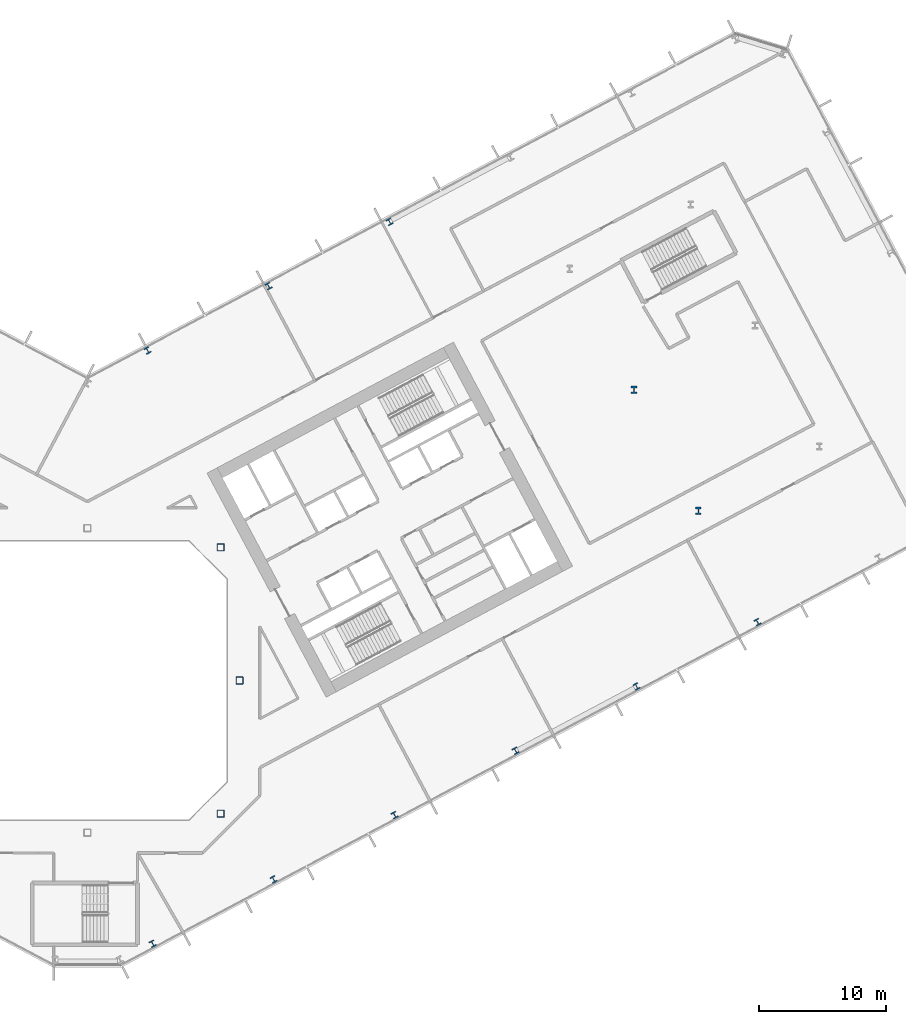
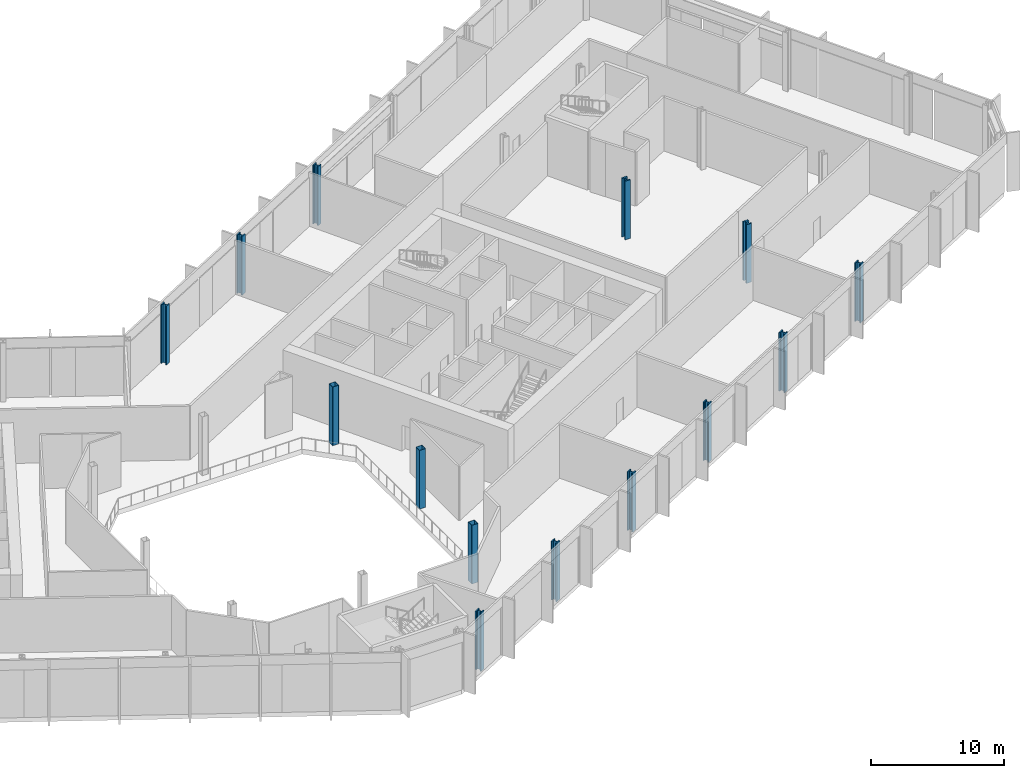
# One storey, part 3 of 30: 14 columns.
"""IFC4 building model written with IfcOpenShell, lengths in metres."""

from ifc_helpers import new_model, si_unit, direction, frame, origin, origin_2d, place, context, subcontext, project, spatial, hollow_rectangle, i_section, extrude, material, material_profile, profile_set, type_object, element, save


model = new_model("IFC4")

# Units and contexts
model_context = context("Model", 3, precision=1e-05, world=origin(), true_north=direction((0.0, 1.0)))
body_context = subcontext(model_context, "Body", "Model", "MODEL_VIEW")
ifc_project = project(units=[si_unit("LENGTHUNIT", "METRE"), si_unit("AREAUNIT", "SQUARE_METRE"), si_unit("VOLUMEUNIT", "CUBIC_METRE"), si_unit("PLANEANGLEUNIT", "RADIAN"), si_unit("MASSUNIT", "GRAM", prefix="KILO")], contexts=[model_context])

# Site, building, storey
site_placement = place(None, origin())
site = spatial("IfcSite", under=ifc_project, at=site_placement, CompositionType="ELEMENT")
building_placement = place(site_placement, origin())
building = spatial("IfcBuilding", under=site, at=building_placement, Name="Cormorant Relay Tower", CompositionType="ELEMENT")
storey_placement = place(building_placement, frame((0.0, 0.0, 55.39990234375)))
storey = spatial("IfcBuildingStorey", under=building, at=storey_placement, Name="L10", CompositionType="ELEMENT", Elevation=55.39990234375)

# Columns
ifc_material_1 = material(Name="Steel ASTM A1085 Grade A (Fy 345 MPa)", Category="steel")
ifc_material_profile_1 = material_profile(ifc_material_1, hollow_rectangle(XDim=0.558837890625, YDim=0.558837890625, WallThickness=0.023681640625, InnerFilletRadius=0.01171875, OuterFilletRadius=0.035400390625, at=origin_2d()), Name="HSS559x559x24")
ifc_profile_set_1 = profile_set([ifc_material_profile_1], Name="Steel ASTM A1085 Grade A (Fy 345 MPa)")
column_type_1 = type_object("IfcColumnType", Name="Column HSS559x559x24", PredefinedType="COLUMN", material=ifc_profile_set_1)
for number, where, z_axis, x_axis, name in (
    (1, (10.5, -10.5, 0.0), (0.0, 0.0, 1.0), (1.0, 0.0, 0.0), "Column L10-010"),
    (2, (12.0, 0.0, 0.0), (0.0, 0.0, 1.0), (1.0, 0.0, 0.0), "Column L10-016"),
    (3, (10.5, 10.5, 0.0), (0.0, 0.0, 1.0), (1.0, 0.0, 0.0), "Column L10-023"),
):
    element("IfcColumn", number, at=place(storey_placement, frame(where, z_axis=z_axis, x_axis=x_axis)), inside=storey, type_object=column_type_1, Name=name, PredefinedType="COLUMN", context=body_context, shape_type="SweptSolid", body=[
        extrude(hollow_rectangle(XDim=0.558837890625, YDim=0.558837890625, WallThickness=0.023681640625, InnerFilletRadius=0.01171875, OuterFilletRadius=0.035400390625, at=origin_2d()), origin(), (0.0, 0.0, 1.0), 5.400146484375),
    ])
ifc_material_2 = material(Name="Steel ASTM A992 (Fy 345 MPa)", Category="steel")
ifc_material_profile_2 = material_profile(ifc_material_2, i_section(OverallWidth=0.45458984375, OverallDepth=0.569091796875, WebThickness=0.077880859375, FlangeThickness=0.124755859375, FilletRadius=0.015380859375, at=origin_2d()), Name="W360x1086")
ifc_profile_set_2 = profile_set([ifc_material_profile_2], Name="Steel ASTM A992 (Fy 345 MPa)")
column_type_2 = type_object("IfcColumnType", Name="Column W360x1086", PredefinedType="COLUMN", material=ifc_profile_set_2)
for number, where, z_axis, x_axis, name in (
    (4, (48.157958984375, 13.3740234375, 0.0), (0.0, 0.0, 1.0), (1.0, 0.0, 0.0), "Column L10-025"),
    (5, (43.087890625, 22.909912109375, 0.0), (0.0, 0.0, 1.0), (1.0, 0.0, 0.0), "Column L10-031"),
):
    element("IfcColumn", number, at=place(storey_placement, frame(where, z_axis=z_axis, x_axis=x_axis)), inside=storey, type_object=column_type_2, Name=name, PredefinedType="COLUMN", context=body_context, shape_type="SweptSolid", body=[
        extrude(i_section(OverallWidth=0.45458984375, OverallDepth=0.569091796875, WebThickness=0.077880859375, FlangeThickness=0.124755859375, FilletRadius=0.015380859375, at=origin_2d()), origin(), (0.0, 0.0, 1.0), 5.400146484375),
    ])
ifc_material_3 = material(Name="Steel ASTM A992 (Fy 345 MPa)", Category="steel")
ifc_material_profile_3 = material_profile(ifc_material_3, i_section(OverallWidth=0.43701171875, OverallDepth=0.51318359375, WebThickness=0.060546875, FlangeThickness=0.096923828125, FilletRadius=0.015380859375, at=origin_2d()), Name="W360x818")
ifc_profile_set_3 = profile_set([ifc_material_profile_3], Name="Steel ASTM A992 (Fy 345 MPa)")
column_type_3 = type_object("IfcColumnType", Name="Column W360x818", PredefinedType="COLUMN", material=ifc_profile_set_3)
for number, where, z_axis, x_axis, name in (
    (6, (5.14599609375, -20.75390625, 0.0), (0.0, 0.0, 1.0), (0.882947592859, 0.469471562786, 0.0), "Column L10-003"),
    (7, (14.680908203125, -15.68310546875, 0.0), (0.0, 0.0, 1.0), (0.882947592859, 0.469471562786, 0.0), "Column L10-005"),
    (8, (24.217041015625, -10.613037109375, 0.0), (0.0, 0.0, 1.0), (0.882947592859, 0.469471562786, 0.0), "Column L10-008"),
    (9, (33.7529296875, -5.54296875, 0.0), (0.0, 0.0, 1.0), (0.882947592859, 0.469471562786, 0.0), "Column L10-012"),
    (10, (43.2890625, -0.471923828125, 0.0), (0.0, 0.0, 1.0), (0.882947592859, 0.469471562786, 0.0), "Column L10-014"),
    (11, (52.824951171875, 4.597900390625, 0.0), (0.0, 0.0, 1.0), (0.882947592859, 0.469471562786, 0.0), "Column L10-019"),
    (12, (4.743896484375, 26.011962890625, 0.0), (0.0, 0.0, 1.0), (-0.882947592859, -0.469471562786, 0.0), "Column L10-035"),
    (13, (14.279052734375, 31.08203125, 0.0), (0.0, 0.0, 1.0), (-0.882947592859, -0.469471562786, 0.0), "Column L10-039"),
    (14, (23.81494140625, 36.152099609375, 0.0), (0.0, 0.0, 1.0), (-0.882947592859, -0.469471562786, 0.0), "Column L10-044"),
):
    element("IfcColumn", number, at=place(storey_placement, frame(where, z_axis=z_axis, x_axis=x_axis)), inside=storey, type_object=column_type_3, Name=name, PredefinedType="COLUMN", context=body_context, shape_type="SweptSolid", body=[
        extrude(i_section(OverallWidth=0.43701171875, OverallDepth=0.51318359375, WebThickness=0.060546875, FlangeThickness=0.096923828125, FilletRadius=0.015380859375, at=origin_2d()), origin(), (0.0, 0.0, 1.0), 5.400146484375),
    ])

save(model, "model.ifc")
